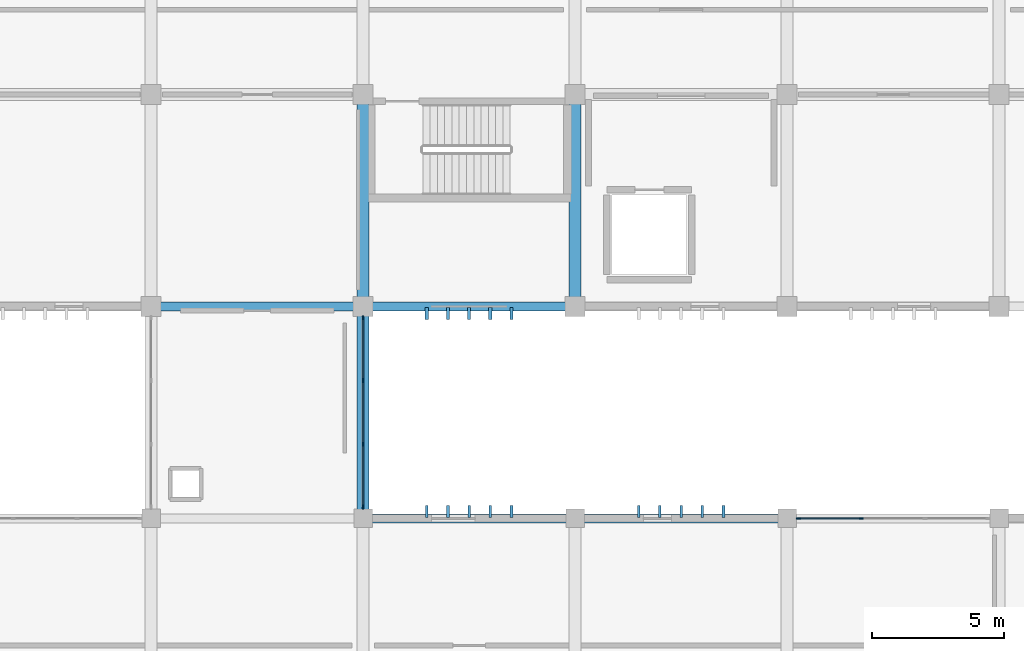
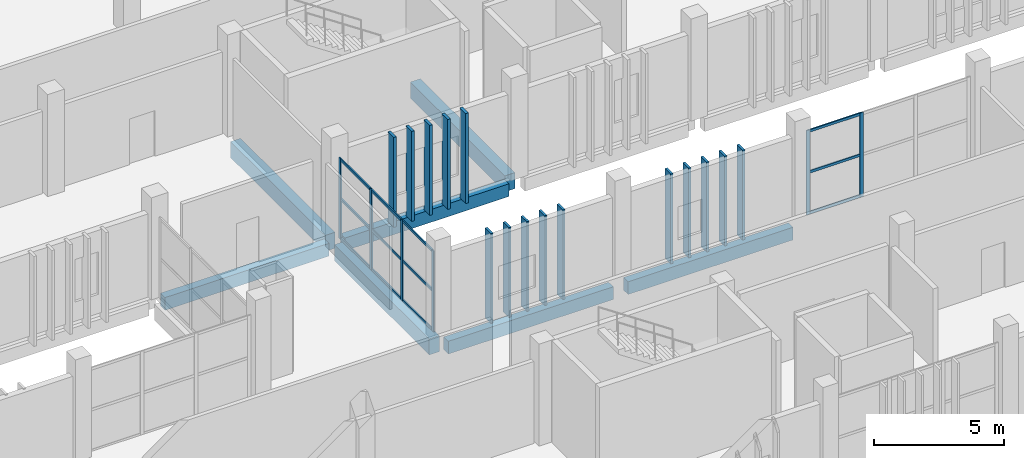
# One storey, part 37 of 106: 33 members, 7 beams, 2 elements without a shape of their own.
"""IFC4 building model written with IfcOpenShell, lengths in metres."""

from ifc_helpers import new_model, si_unit, direction, frame, origin, origin_2d, place, context, subcontext, project, spatial, rectangle, extrude, material, layer, layer_set, material_profile, profile_set, type_object, element, aggregate, save


model = new_model("IFC4")

# Units and contexts
model_context = context("Model", 3, precision=1e-05, world=origin(), true_north=direction((0.0, 1.0)))
body_context = subcontext(model_context, "Body", "Model", "MODEL_VIEW")
ifc_project = project(units=[si_unit("LENGTHUNIT", "METRE"), si_unit("AREAUNIT", "SQUARE_METRE"), si_unit("VOLUMEUNIT", "CUBIC_METRE"), si_unit("PLANEANGLEUNIT", "RADIAN"), si_unit("MASSUNIT", "GRAM", prefix="KILO")], contexts=[model_context])

# Site, building, storey
site_placement = place(None, origin())
site = spatial("IfcSite", under=ifc_project, at=site_placement, CompositionType="ELEMENT")
building_placement = place(site_placement, origin())
building = spatial("IfcBuilding", under=site, at=building_placement, Name="Jelvoka-Kovrelna Polytechnic", CompositionType="ELEMENT")
storey_placement = place(building_placement, frame((0.0, 0.0, 4.800048828125)))
storey = spatial("IfcBuildingStorey", under=building, at=storey_placement, Name="L02", CompositionType="ELEMENT", Elevation=4.800048828125)

# Beams
ifc_material_1 = material(Name="Concrete C40/50", Category="concrete")
ifc_material_profile_1 = material_profile(ifc_material_1, rectangle(XDim=0.449951171875, YDim=0.75, at=origin_2d()), Name="RC 450x750")
ifc_profile_set_1 = profile_set([ifc_material_profile_1], Name="Concrete C40/50")
beam_type_1 = type_object("IfcBeamType", Name="Beam_RC_450x750", PredefinedType="BEAM", material=ifc_profile_set_1)
for number, where, z_axis, x_axis, name in (
    (1, (80.0, 56.35498046875, -0.64013671875), (0.0, 1.0, 0.0), (-1.0, 0.0, 0.0), "L02 beam 0781"),
    (2, (88.0, 56.35498046875, -0.64013671875), (0.0, 1.0, 0.0), (-1.0, 0.0, 0.0), "L02 beam 0783"),
):
    element("IfcBeam", number, at=place(storey_placement, frame(where, z_axis=z_axis, x_axis=x_axis)), inside=storey, type_object=beam_type_1, Name=name, PredefinedType="BEAM", context=body_context, shape_type="SweptSolid", body=[
        extrude(rectangle(XDim=0.449951171875, YDim=0.75, at=origin_2d()), origin(), (0.0, 0.0, 1.0), 7.2900390625),
    ])
beam_placement = place(storey_placement, frame((80.0, 48.330078125, -0.64013671875), z_axis=(0.0, 1.0, 0.0), x_axis=(-1.0, 0.0, 0.0)))
element("IfcBeam", 3, at=beam_placement, inside=storey, type_object=beam_type_1, Name="L02 beam 0860", PredefinedType="BEAM", context=body_context, shape_type="SweptSolid", body=[
    extrude(rectangle(XDim=0.449951171875, YDim=0.75, at=origin_2d()), origin(), (0.0, 0.0, 1.0), 7.31494140625),
])

# Members
ifc_material_2 = material(Name="Precast concrete C40/50", Category="concrete")
ifc_material_profile_2 = material_profile(ifc_material_2, rectangle(XDim=0.10009765625, YDim=0.449951171875, at=origin_2d()), Name="PC 100x450")
ifc_profile_set_2 = profile_set([ifc_material_profile_2], Name="Precast concrete C40/50")
member_type_1 = type_object("IfcMemberType", Name="Louvre_Fin_100x450", PredefinedType="USERDEFINED", material=ifc_profile_set_2)
for number, where, z_axis, x_axis, name in (
    (4, (82.39990234375, 48.264892578125, -0.27001953125), (0.0, 0.0, 1.0), (1.0, 0.0, 0.0), "L02 B2W north vertical solar louvre fin 0621"),
    (5, (83.199951171875, 48.264892578125, -0.27001953125), (0.0, 0.0, 1.0), (1.0, 0.0, 0.0), "L02 B2W north vertical solar louvre fin 0622"),
    (6, (84.0, 48.264892578125, -0.27001953125), (0.0, 0.0, 1.0), (1.0, 0.0, 0.0), "L02 B2W north vertical solar louvre fin 0623"),
    (7, (84.800048828125, 48.264892578125, -0.27001953125), (0.0, 0.0, 1.0), (1.0, 0.0, 0.0), "L02 B2W north vertical solar louvre fin 0624"),
    (8, (85.60009765625, 48.264892578125, -0.27001953125), (0.0, 0.0, 1.0), (1.0, 0.0, 0.0), "L02 B2W north vertical solar louvre fin 0625"),
    (9, (90.39990234375, 48.264892578125, -0.27001953125), (0.0, 0.0, 1.0), (1.0, 0.0, 0.0), "L02 B2W north vertical solar louvre fin 0631"),
    (10, (91.199951171875, 48.264892578125, -0.27001953125), (0.0, 0.0, 1.0), (1.0, 0.0, 0.0), "L02 B2W north vertical solar louvre fin 0632"),
    (11, (92.0, 48.264892578125, -0.27001953125), (0.0, 0.0, 1.0), (1.0, 0.0, 0.0), "L02 B2W north vertical solar louvre fin 0633"),
    (12, (92.800048828125, 48.264892578125, -0.27001953125), (0.0, 0.0, 1.0), (1.0, 0.0, 0.0), "L02 B2W north vertical solar louvre fin 0634"),
    (13, (93.60009765625, 48.264892578125, -0.27001953125), (0.0, 0.0, 1.0), (1.0, 0.0, 0.0), "L02 B2W north vertical solar louvre fin 0635"),
):
    element("IfcMember", number, at=place(storey_placement, frame(where, z_axis=z_axis, x_axis=x_axis)), inside=storey, type_object=member_type_1, Name=name, ObjectType="SUNSHADE", PredefinedType="USERDEFINED", context=body_context, shape_type="SweptSolid", body=[
        extrude(rectangle(XDim=0.10009765625, YDim=0.449951171875, at=origin_2d()), origin(), (0.0, 0.0, 1.0), 4.22998046875),
    ])
ifc_material_3 = material(Name="Precast concrete C40/50", Category="concrete")
ifc_material_profile_3 = material_profile(ifc_material_3, rectangle(XDim=0.1201171875, YDim=0.449951171875, at=origin_2d()), Name="PC 120x450")
ifc_profile_set_3 = profile_set([ifc_material_profile_3], Name="Precast concrete C40/50")
member_type_2 = type_object("IfcMemberType", Name="Louvre_Fin_120x450", PredefinedType="USERDEFINED", material=ifc_profile_set_3)
for number, where, z_axis, x_axis, name in (
    (14, (82.39990234375, 55.735107421875, -0.27001953125), (0.0, 0.0, 1.0), (1.0, 0.0, 0.0), "L02 B3 south vertical solar louvre fin 1331"),
    (15, (83.199951171875, 55.735107421875, -0.27001953125), (0.0, 0.0, 1.0), (1.0, 0.0, 0.0), "L02 B3 south vertical solar louvre fin 1332"),
    (16, (84.0, 55.735107421875, -0.27001953125), (0.0, 0.0, 1.0), (1.0, 0.0, 0.0), "L02 B3 south vertical solar louvre fin 1333"),
    (17, (84.800048828125, 55.735107421875, -0.27001953125), (0.0, 0.0, 1.0), (1.0, 0.0, 0.0), "L02 B3 south vertical solar louvre fin 1334"),
    (18, (85.60009765625, 55.735107421875, -0.27001953125), (0.0, 0.0, 1.0), (1.0, 0.0, 0.0), "L02 B3 south vertical solar louvre fin 1335"),
):
    element("IfcMember", number, at=place(storey_placement, frame(where, z_axis=z_axis, x_axis=x_axis)), inside=storey, type_object=member_type_2, Name=name, ObjectType="SUNSHADE", PredefinedType="USERDEFINED", context=body_context, shape_type="SweptSolid", body=[
        extrude(rectangle(XDim=0.1201171875, YDim=0.449951171875, at=origin_2d()), origin(), (0.0, 0.0, 1.0), 4.22998046875),
    ])

# Curtain wall, members
ifc_material_4 = material(Name="Anodised aluminium 6063-T6", Category="aluminium")
ifc_layer_1 = layer(ifc_material_4, 0.159912109375)
ifc_layer_set_1 = layer_set([ifc_layer_1], Name="Anodised aluminium 6063-T6")
curtain_wall_type_1 = type_object("IfcCurtainWallType", Name="CW_Recessed_A", PredefinedType="NOTDEFINED", material=ifc_layer_set_1)
curtain_wall_1_placement = place(storey_placement, origin())
curtain_wall_1 = element("IfcCurtainWall", 19, at=curtain_wall_1_placement, inside=storey, type_object=curtain_wall_type_1, Name="L02 glazed curtain wall 018", PredefinedType="NOTDEFINED")
ifc_material_5 = material(Name="Anodised aluminium 6063-T6", Category="aluminium")
ifc_material_profile_4 = material_profile(ifc_material_5, rectangle(XDim=0.06005859375, YDim=0.159912109375, at=origin_2d()), Name="ALU 60x160")
ifc_profile_set_4 = profile_set([ifc_material_profile_4], Name="Anodised aluminium 6063-T6")
member_type_3 = type_object("IfcMemberType", Name="Mullion_M-01", PredefinedType="MULLION", material=ifc_profile_set_4)
member_1_placement = place(storey_placement, frame((96.429931640625, 48.0, -0.02490234375), z_axis=(0.0, 0.0, 1.0), x_axis=(0.0, 1.0, 0.0)))
member_1 = element("IfcMember", 20, at=member_1_placement, type_object=member_type_3, Name="CW-01 mullion 1", PredefinedType="MULLION", context=body_context, shape_type="SweptSolid", body=[
    extrude(rectangle(XDim=0.06005859375, YDim=0.159912109375, at=origin_2d()), origin(), (0.0, 0.0, 1.0), 3.9599609375),
])
member_2_placement = place(storey_placement, frame((98.800048828125, 48.0, -0.02490234375), z_axis=(0.0, 0.0, 1.0), x_axis=(0.0, 1.0, 0.0)))
member_2 = element("IfcMember", 21, at=member_2_placement, type_object=member_type_3, Name="CW-01 mullion 2", PredefinedType="MULLION", context=body_context, shape_type="SweptSolid", body=[
    extrude(rectangle(XDim=0.06005859375, YDim=0.159912109375, at=origin_2d()), origin(), (0.0, 0.0, 1.0), 3.9599609375),
])

ifc_material_6 = material(Name="Anodised aluminium 6063-T6", Category="aluminium")
ifc_layer_2 = layer(ifc_material_6, 0.159912109375)
ifc_layer_set_2 = layer_set([ifc_layer_2], Name="Anodised aluminium 6063-T6")
curtain_wall_type_2 = type_object("IfcCurtainWallType", Name="CW_LinkBridge", PredefinedType="NOTDEFINED", material=ifc_layer_set_2)
curtain_wall_2_placement = place(storey_placement, origin())
curtain_wall_2 = element("IfcCurtainWall", 22, at=curtain_wall_2_placement, inside=storey, type_object=curtain_wall_type_2, Name="L02 glazed curtain wall 113", PredefinedType="NOTDEFINED")
ifc_material_7 = material(Name="Anodised aluminium 6063-T6", Category="aluminium")
ifc_material_profile_5 = material_profile(ifc_material_7, rectangle(XDim=0.06005859375, YDim=0.159912109375, at=origin_2d()), Name="ALU 60x160")
ifc_profile_set_5 = profile_set([ifc_material_profile_5], Name="Anodised aluminium 6063-T6")
member_type_4 = type_object("IfcMemberType", Name="Mullion_M-04", PredefinedType="MULLION", material=ifc_profile_set_5)
member_3_placement = place(storey_placement, frame((80.0, 55.570068359375, -0.02490234375), z_axis=(0.0, 0.0, 1.0), x_axis=(1.0, 0.0, 0.0)))
member_3 = element("IfcMember", 23, at=member_3_placement, type_object=member_type_4, Name="CW-04 mullion 1", PredefinedType="MULLION", context=body_context, shape_type="SweptSolid", body=[
    extrude(rectangle(XDim=0.06005859375, YDim=0.159912109375, at=origin_2d()), origin(), (0.0, 0.0, 1.0), 3.81005859375),
])
member_4_placement = place(storey_placement, frame((80.0, 53.199951171875, -0.02490234375), z_axis=(0.0, 0.0, 1.0), x_axis=(1.0, 0.0, 0.0)))
member_4 = element("IfcMember", 24, at=member_4_placement, type_object=member_type_4, Name="CW-04 mullion 2", PredefinedType="MULLION", context=body_context, shape_type="SweptSolid", body=[
    extrude(rectangle(XDim=0.06005859375, YDim=0.159912109375, at=origin_2d()), origin(), (0.0, 0.0, 1.0), 3.81005859375),
])
member_5_placement = place(storey_placement, frame((80.0, 50.800048828125, -0.02490234375), z_axis=(0.0, 0.0, 1.0), x_axis=(1.0, 0.0, 0.0)))
member_5 = element("IfcMember", 25, at=member_5_placement, type_object=member_type_4, Name="CW-04 mullion 3", PredefinedType="MULLION", context=body_context, shape_type="SweptSolid", body=[
    extrude(rectangle(XDim=0.06005859375, YDim=0.159912109375, at=origin_2d()), origin(), (0.0, 0.0, 1.0), 3.81005859375),
])
member_6_placement = place(storey_placement, frame((80.0, 48.429931640625, -0.02490234375), z_axis=(0.0, 0.0, 1.0), x_axis=(1.0, 0.0, 0.0)))
member_6 = element("IfcMember", 26, at=member_6_placement, type_object=member_type_4, Name="CW-04 mullion 4", PredefinedType="MULLION", context=body_context, shape_type="SweptSolid", body=[
    extrude(rectangle(XDim=0.06005859375, YDim=0.159912109375, at=origin_2d()), origin(), (0.0, 0.0, 1.0), 3.81005859375),
])

# Beams
ifc_material_8 = material(Name="Concrete C40/50", Category="concrete")
ifc_material_profile_6 = material_profile(ifc_material_8, rectangle(XDim=0.35009765625, YDim=0.60009765625, at=origin_2d()), Name="RC 350x600")
ifc_profile_set_6 = profile_set([ifc_material_profile_6], Name="Concrete C40/50")
beam_type_2 = type_object("IfcBeamType", Name="Spandrel_RC_350x600", PredefinedType="SPANDREL", material=ifc_profile_set_6)
for number, where, z_axis, x_axis, name in (
    (27, (80.330078125, 48.0, -0.56494140625), (1.0, 0.0, 0.0), (0.0, 1.0, 0.0), "L02 beam 0694"),
    (28, (88.330078125, 48.0, -0.56494140625), (1.0, 0.0, 0.0), (0.0, 1.0, 0.0), "L02 beam 0695"),
):
    element("IfcBeam", number, at=place(storey_placement, frame(where, z_axis=z_axis, x_axis=x_axis)), inside=storey, type_object=beam_type_2, Name=name, PredefinedType="SPANDREL", context=body_context, shape_type="SweptSolid", body=[
        extrude(rectangle(XDim=0.35009765625, YDim=0.60009765625, at=origin_2d()), origin(), (0.0, 0.0, 1.0), 7.33984375),
    ])
for number, where, z_axis, x_axis, name in (
    (29, (72.35498046875, 56.0, -0.56494140625), (1.0, 0.0, 0.0), (0.0, 1.0, 0.0), "L02 beam 0757"),
    (30, (80.35498046875, 56.0, -0.56494140625), (1.0, 0.0, 0.0), (0.0, 1.0, 0.0), "L02 beam 0758"),
):
    element("IfcBeam", number, at=place(storey_placement, frame(where, z_axis=z_axis, x_axis=x_axis)), inside=storey, type_object=beam_type_2, Name=name, PredefinedType="SPANDREL", context=body_context, shape_type="SweptSolid", body=[
        extrude(rectangle(XDim=0.35009765625, YDim=0.60009765625, at=origin_2d()), origin(), (0.0, 0.0, 1.0), 7.2900390625),
    ])

# Member
ifc_material_9 = material(Name="Anodised aluminium 6063-T6", Category="aluminium")
ifc_material_profile_7 = material_profile(ifc_material_9, rectangle(XDim=0.06005859375, YDim=0.1201171875, at=origin_2d()), Name="ALU 60x120")
ifc_profile_set_7 = profile_set([ifc_material_profile_7], Name="Anodised aluminium 6063-T6")
member_type_5 = type_object("IfcMemberType", Name="Transom_T-01", PredefinedType="USERDEFINED", material=ifc_profile_set_7)
member_7_placement = place(storey_placement, frame((96.4599609375, 48.0, 0.030029296875), z_axis=(1.0, 0.0, 0.0), x_axis=(0.0, 1.0, 0.0)))
member_7 = element("IfcMember", 31, at=member_7_placement, type_object=member_type_5, Name="CW-01 transom 1.1", ObjectType="TRANSOM", PredefinedType="USERDEFINED", context=body_context, shape_type="SweptSolid", body=[
    extrude(rectangle(XDim=0.06005859375, YDim=0.1201171875, at=origin_2d()), origin(), (0.0, 0.0, 1.0), 2.31005859375),
])

member_8_placement = place(storey_placement, frame((96.4599609375, 48.0, 1.954833984375), z_axis=(1.0, 0.0, 0.0), x_axis=(0.0, 1.0, 0.0)))
member_8 = element("IfcMember", 32, at=member_8_placement, type_object=member_type_5, Name="CW-01 transom 1.2", ObjectType="TRANSOM", PredefinedType="USERDEFINED", context=body_context, shape_type="SweptSolid", body=[
    extrude(rectangle(XDim=0.06005859375, YDim=0.1201171875, at=origin_2d()), origin(), (0.0, 0.0, 1.0), 2.31005859375),
])

member_9_placement = place(storey_placement, frame((96.4599609375, 48.0, 3.8798828125), z_axis=(1.0, 0.0, 0.0), x_axis=(0.0, 1.0, 0.0)))
member_9 = element("IfcMember", 33, at=member_9_placement, type_object=member_type_5, Name="CW-01 transom 1.3", ObjectType="TRANSOM", PredefinedType="USERDEFINED", context=body_context, shape_type="SweptSolid", body=[
    extrude(rectangle(XDim=0.06005859375, YDim=0.1201171875, at=origin_2d()), origin(), (0.0, 0.0, 1.0), 2.31005859375),
])

aggregate(curtain_wall_1, [member_1, member_2, member_7, member_8, member_9])

ifc_material_10 = material(Name="Anodised aluminium 6063-T6", Category="aluminium")
ifc_material_profile_8 = material_profile(ifc_material_10, rectangle(XDim=0.06005859375, YDim=0.1201171875, at=origin_2d()), Name="ALU 60x120")
ifc_profile_set_8 = profile_set([ifc_material_profile_8], Name="Anodised aluminium 6063-T6")
member_type_6 = type_object("IfcMemberType", Name="Transom_T-04", PredefinedType="USERDEFINED", material=ifc_profile_set_8)
member_10_placement = place(storey_placement, frame((80.0, 55.5400390625, 0.030029296875), z_axis=(0.0, -1.0, 0.0), x_axis=(1.0, 0.0, 0.0)))
member_10 = element("IfcMember", 34, at=member_10_placement, type_object=member_type_6, Name="CW-04 transom 1.1", ObjectType="TRANSOM", PredefinedType="USERDEFINED", context=body_context, shape_type="SweptSolid", body=[
    extrude(rectangle(XDim=0.06005859375, YDim=0.1201171875, at=origin_2d()), origin(), (0.0, 0.0, 1.0), 2.31005859375),
])

member_11_placement = place(storey_placement, frame((80.0, 55.5400390625, 1.8798828125), z_axis=(0.0, -1.0, 0.0), x_axis=(1.0, 0.0, 0.0)))
member_11 = element("IfcMember", 35, at=member_11_placement, type_object=member_type_6, Name="CW-04 transom 1.2", ObjectType="TRANSOM", PredefinedType="USERDEFINED", context=body_context, shape_type="SweptSolid", body=[
    extrude(rectangle(XDim=0.06005859375, YDim=0.1201171875, at=origin_2d()), origin(), (0.0, 0.0, 1.0), 2.31005859375),
])

member_12_placement = place(storey_placement, frame((80.0, 55.5400390625, 3.72998046875), z_axis=(0.0, -1.0, 0.0), x_axis=(1.0, 0.0, 0.0)))
member_12 = element("IfcMember", 36, at=member_12_placement, type_object=member_type_6, Name="CW-04 transom 1.3", ObjectType="TRANSOM", PredefinedType="USERDEFINED", context=body_context, shape_type="SweptSolid", body=[
    extrude(rectangle(XDim=0.06005859375, YDim=0.1201171875, at=origin_2d()), origin(), (0.0, 0.0, 1.0), 2.31005859375),
])

member_13_placement = place(storey_placement, frame((80.0, 53.169921875, 0.030029296875), z_axis=(0.0, -1.0, 0.0), x_axis=(1.0, 0.0, 0.0)))
member_13 = element("IfcMember", 37, at=member_13_placement, type_object=member_type_6, Name="CW-04 transom 2.1", ObjectType="TRANSOM", PredefinedType="USERDEFINED", context=body_context, shape_type="SweptSolid", body=[
    extrude(rectangle(XDim=0.06005859375, YDim=0.1201171875, at=origin_2d()), origin(), (0.0, 0.0, 1.0), 2.33984375),
])

member_14_placement = place(storey_placement, frame((80.0, 53.169921875, 1.8798828125), z_axis=(0.0, -1.0, 0.0), x_axis=(1.0, 0.0, 0.0)))
member_14 = element("IfcMember", 38, at=member_14_placement, type_object=member_type_6, Name="CW-04 transom 2.2", ObjectType="TRANSOM", PredefinedType="USERDEFINED", context=body_context, shape_type="SweptSolid", body=[
    extrude(rectangle(XDim=0.06005859375, YDim=0.1201171875, at=origin_2d()), origin(), (0.0, 0.0, 1.0), 2.33984375),
])

member_15_placement = place(storey_placement, frame((80.0, 53.169921875, 3.72998046875), z_axis=(0.0, -1.0, 0.0), x_axis=(1.0, 0.0, 0.0)))
member_15 = element("IfcMember", 39, at=member_15_placement, type_object=member_type_6, Name="CW-04 transom 2.3", ObjectType="TRANSOM", PredefinedType="USERDEFINED", context=body_context, shape_type="SweptSolid", body=[
    extrude(rectangle(XDim=0.06005859375, YDim=0.1201171875, at=origin_2d()), origin(), (0.0, 0.0, 1.0), 2.33984375),
])

member_16_placement = place(storey_placement, frame((80.0, 50.77001953125, 0.030029296875), z_axis=(0.0, -1.0, 0.0), x_axis=(1.0, 0.0, 0.0)))
member_16 = element("IfcMember", 40, at=member_16_placement, type_object=member_type_6, Name="CW-04 transom 3.1", ObjectType="TRANSOM", PredefinedType="USERDEFINED", context=body_context, shape_type="SweptSolid", body=[
    extrude(rectangle(XDim=0.06005859375, YDim=0.1201171875, at=origin_2d()), origin(), (0.0, 0.0, 1.0), 2.31005859375),
])

member_17_placement = place(storey_placement, frame((80.0, 50.77001953125, 1.8798828125), z_axis=(0.0, -1.0, 0.0), x_axis=(1.0, 0.0, 0.0)))
member_17 = element("IfcMember", 41, at=member_17_placement, type_object=member_type_6, Name="CW-04 transom 3.2", ObjectType="TRANSOM", PredefinedType="USERDEFINED", context=body_context, shape_type="SweptSolid", body=[
    extrude(rectangle(XDim=0.06005859375, YDim=0.1201171875, at=origin_2d()), origin(), (0.0, 0.0, 1.0), 2.31005859375),
])

member_18_placement = place(storey_placement, frame((80.0, 50.77001953125, 3.72998046875), z_axis=(0.0, -1.0, 0.0), x_axis=(1.0, 0.0, 0.0)))
member_18 = element("IfcMember", 42, at=member_18_placement, type_object=member_type_6, Name="CW-04 transom 3.3", ObjectType="TRANSOM", PredefinedType="USERDEFINED", context=body_context, shape_type="SweptSolid", body=[
    extrude(rectangle(XDim=0.06005859375, YDim=0.1201171875, at=origin_2d()), origin(), (0.0, 0.0, 1.0), 2.31005859375),
])

aggregate(curtain_wall_2, [member_3, member_4, member_5, member_6, member_10, member_11, member_12, member_13, member_14, member_15, member_16, member_17, member_18])

save(model, "model.ifc")
